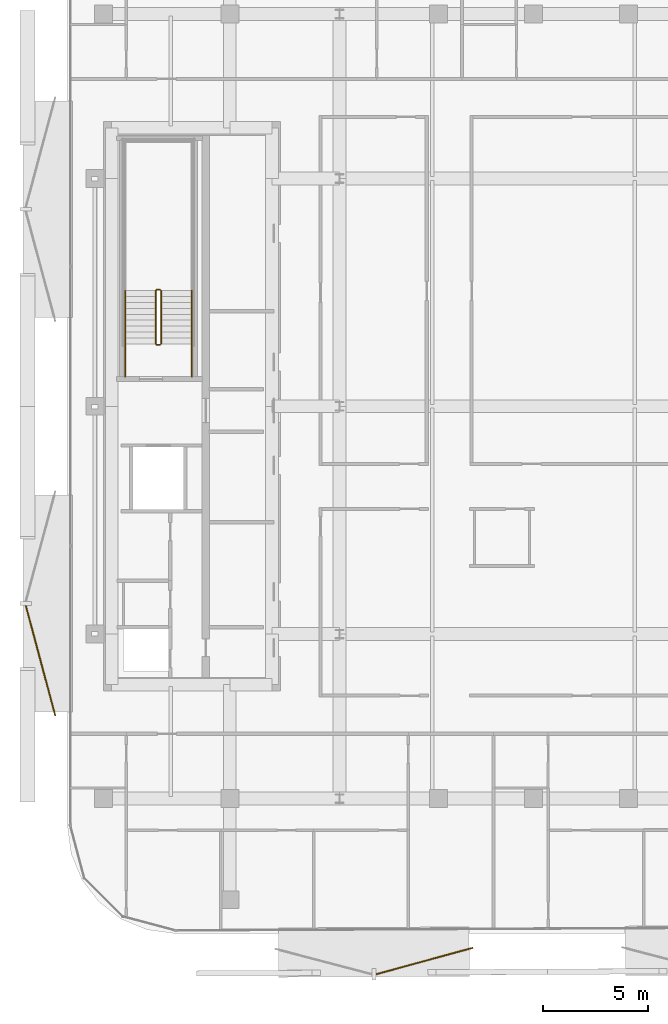
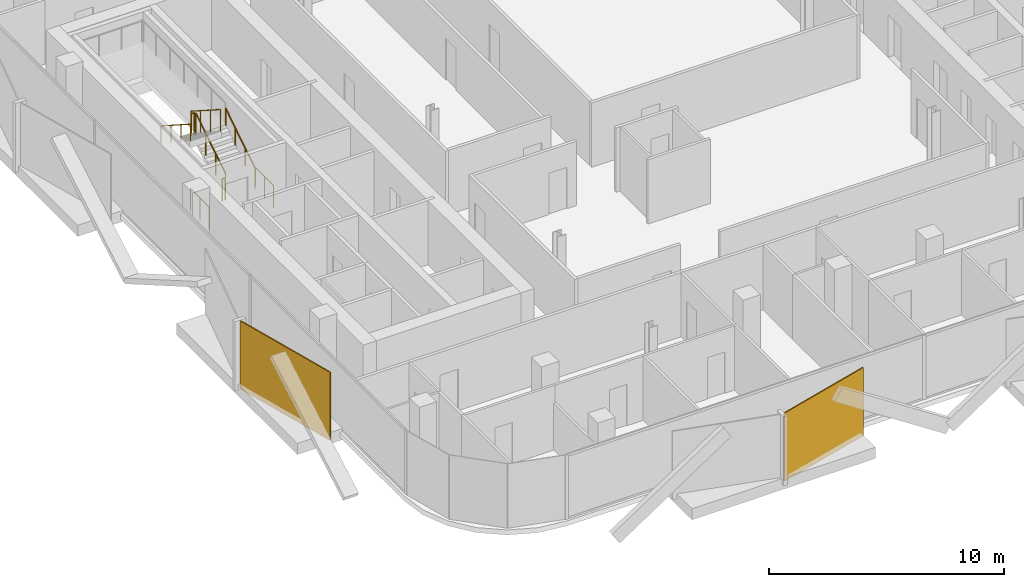
# One storey, part 12 of 14: 8 railings, 2 coverings.
"""IFC4 building model written with IfcOpenShell, lengths in metres."""

from ifc_helpers import new_model, si_unit, direction, frame, origin, origin_2d, place, context, subcontext, project, spatial, rectangle, circle, extrude, material, layer, layer_set, type_object, element, save


model = new_model("IFC4")

# Units and contexts
model_context = context("Model", 3, precision=1e-05, world=origin(), true_north=direction((0.0, 1.0)))
body_context = subcontext(model_context, "Body", "Model", "MODEL_VIEW")
ifc_project = project(units=[si_unit("LENGTHUNIT", "METRE"), si_unit("AREAUNIT", "SQUARE_METRE"), si_unit("VOLUMEUNIT", "CUBIC_METRE"), si_unit("PLANEANGLEUNIT", "RADIAN"), si_unit("MASSUNIT", "GRAM", prefix="KILO")], contexts=[model_context])

# Site, building, storey
site_placement = place(None, origin())
site = spatial("IfcSite", under=ifc_project, at=site_placement, CompositionType="ELEMENT")
building_placement = place(site_placement, origin())
building = spatial("IfcBuilding", under=site, at=building_placement, Name="Khairoan Windgate Tower", CompositionType="ELEMENT")
storey_placement = place(building_placement, frame((0.0, 0.0, 233.199951171875)))
storey = spatial("IfcBuildingStorey", under=building, at=storey_placement, Name="L54", CompositionType="ELEMENT", Elevation=233.199951171875)

# Coverings
ifc_material_1 = material(Name="Anodised Bronze Aluminium 6063-T6", Category="aluminium")
ifc_layer = layer(ifc_material_1, 0.054931640625, Name="Anodised Bronze Aluminium 6063-T6")
ifc_layer_set = layer_set([ifc_layer], Name="Anodised Bronze Aluminium 6063-T6")
covering_type = type_object("IfcCoveringType", Name="Perforated Bronze-Ceramic Folded Solar Screen Cladding BSC-1", PredefinedType="CLADDING", material=ifc_layer_set)
covering_1_placement = place(storey_placement, frame((-5.172607421875, -26.30615234375, -0.099853515625), z_axis=(0.0, 0.0, 1.0), x_axis=(-0.964649468762, -0.263536339841, 0.0)))
element("IfcCovering", 1, at=covering_1_placement, inside=storey, type_object=covering_type, Name="L54 Folded Bronze Solar Screen Facet 362L", PredefinedType="CLADDING", context=body_context, shape_type="SweptSolid", body=[
    extrude(rectangle(XDim=4.76708984375, YDim=0.054931640625, at=origin_2d()), origin(), (0.0, 0.0, 1.0), 3.5400390625),
])
covering_2_placement = place(storey_placement, frame((-23.378662109375, -12.052978515625, -0.099853515625), z_axis=(0.0, 0.0, 1.0), x_axis=(-0.258819045103, 0.965925826289, 0.0)))
element("IfcCovering", 2, at=covering_2_placement, inside=storey, type_object=covering_type, Name="L54 Folded Bronze Solar Screen Facet 363L", PredefinedType="CLADDING", context=body_context, shape_type="SweptSolid", body=[
    extrude(rectangle(XDim=5.419921875, YDim=0.054931640625, at=origin_2d()), origin(), (0.0, 0.0, 1.0), 3.5400390625),
])

# Railings
ifc_material_2 = material(Name="Anodised Bronze Aluminium 6063-T6", Category="aluminium")
railing_type_1 = type_object("IfcRailingType", Name="Stair Wall Handrail SHR-900", PredefinedType="HANDRAIL", material=ifc_material_2)
railing_1_placement = place(storey_placement, frame((-16.199951171875, 2.9599609375, 0.179931640625)))
element("IfcRailing", 3, at=railing_1_placement, inside=storey, type_object=railing_type_1, Name="L54 ST2 stair handrail 1", PredefinedType="HANDRAIL", context=body_context, shape_type="SweptSolid", body=[
    extrude(circle(Radius=0.02392578125, at=origin_2d()), frame((0.0, 0.0, 0.8759765625), z_axis=(0.0, 0.841162588446, 0.540782303519), x_axis=(-1.0, 0.0, 0.0)), (0.0, 0.0, 1.0), 2.995849609375),
    extrude(circle(Radius=0.02099609375, at=origin_2d()), origin(), (0.0, 0.0, 1.0), 0.851806640625),
    extrude(circle(Radius=0.02099609375, at=origin_2d()), frame((0.0, 0.840087890625, 0.5400390625)), (0.0, 0.0, 1.0), 0.851806640625),
    extrude(circle(Radius=0.02099609375, at=origin_2d()), frame((0.0, 1.679931640625, 1.080078125)), (0.0, 0.0, 1.0), 0.851806640625),
    extrude(circle(Radius=0.02099609375, at=origin_2d()), frame((0.0, 2.52001953125, 1.6201171875)), (0.0, 0.0, 1.0), 0.851806640625),
])
railing_2_placement = place(storey_placement, frame((-19.3701171875, 5.47998046875, 1.97998046875)))
element("IfcRailing", 4, at=railing_2_placement, inside=storey, type_object=railing_type_1, Name="L54 ST2 stair handrail 2", PredefinedType="HANDRAIL", context=body_context, shape_type="SweptSolid", body=[
    extrude(circle(Radius=0.02392578125, at=origin_2d()), frame((0.0, 0.0, 0.8759765625), z_axis=(0.0, -0.841162588446, 0.540782303519), x_axis=(1.0, 0.0, 0.0)), (0.0, 0.0, 1.0), 2.995849609375),
    extrude(circle(Radius=0.02099609375, at=origin_2d()), origin(), (0.0, 0.0, 1.0), 0.851806640625),
    extrude(circle(Radius=0.02099609375, at=origin_2d()), frame((0.0, -0.840087890625, 0.5400390625)), (0.0, 0.0, 1.0), 0.851806640625),
    extrude(circle(Radius=0.02099609375, at=origin_2d()), frame((0.0, -1.679931640625, 1.080078125)), (0.0, 0.0, 1.0), 0.851806640625),
    extrude(circle(Radius=0.02099609375, at=origin_2d()), frame((0.0, -2.52001953125, 1.6201171875)), (0.0, 0.0, 1.0), 0.851806640625),
])
ifc_material_3 = material(Name="Steel S355", Category="steel")
railing_type_2 = type_object("IfcRailingType", Name="Stairwell Safety Guardrail SGR-1150", PredefinedType="GUARDRAIL", material=ifc_material_3)
railing_3_placement = place(storey_placement, frame((-17.659912109375, 2.9599609375, 0.179931640625)))
element("IfcRailing", 5, at=railing_3_placement, inside=storey, type_object=railing_type_2, Name="L54 ST2 stair guard 1", PredefinedType="GUARDRAIL", context=body_context, shape_type="SweptSolid", body=[
    extrude(circle(Radius=0.02392578125, at=origin_2d()), frame((0.0, 0.0, 1.1259765625), z_axis=(0.0, 0.841162588446, 0.540782303519), x_axis=(-1.0, 0.0, 0.0)), (0.0, 0.0, 1.0), 2.995849609375),
    extrude(circle(Radius=0.02099609375, at=origin_2d()), origin(), (0.0, 0.0, 1.0), 1.101806640625),
    extrude(circle(Radius=0.02099609375, at=origin_2d()), frame((0.0, 0.840087890625, 0.5400390625)), (0.0, 0.0, 1.0), 1.101806640625),
    extrude(circle(Radius=0.02099609375, at=origin_2d()), frame((0.0, 1.679931640625, 1.080078125)), (0.0, 0.0, 1.0), 1.101806640625),
    extrude(circle(Radius=0.02099609375, at=origin_2d()), frame((0.0, 2.52001953125, 1.6201171875)), (0.0, 0.0, 1.0), 1.101806640625),
])
railing_4_placement = place(storey_placement, frame((-17.7099609375, 5.530029296875, 1.800048828125)))
element("IfcRailing", 6, at=railing_4_placement, inside=storey, type_object=railing_type_2, Name="L54 ST2 stair guard 2", PredefinedType="GUARDRAIL", context=body_context, shape_type="SweptSolid", body=[
    extrude(circle(Radius=0.02392578125, at=origin_2d()), frame((0.0, 0.0, 1.1259765625), z_axis=(-1.0, 0.0, 0.0), x_axis=(0.0, -1.0, 0.0)), (0.0, 0.0, 1.0), 0.150146484375),
    extrude(circle(Radius=0.02099609375, at=origin_2d()), origin(), (0.0, 0.0, 1.0), 1.101806640625),
    extrude(circle(Radius=0.02099609375, at=origin_2d()), frame((-0.150146484375, 0.0, 0.0)), (0.0, 0.0, 1.0), 1.101806640625),
])
railing_5_placement = place(storey_placement, frame((-17.909912109375, 5.47998046875, 1.97998046875)))
element("IfcRailing", 7, at=railing_5_placement, inside=storey, type_object=railing_type_2, Name="L54 ST2 stair guard 6", PredefinedType="GUARDRAIL", context=body_context, shape_type="SweptSolid", body=[
    extrude(circle(Radius=0.02392578125, at=origin_2d()), frame((0.0, 0.0, 1.1259765625), z_axis=(0.0, -0.841162588446, 0.540782303519), x_axis=(1.0, 0.0, 0.0)), (0.0, 0.0, 1.0), 2.995849609375),
    extrude(circle(Radius=0.02099609375, at=origin_2d()), origin(), (0.0, 0.0, 1.0), 1.101806640625),
    extrude(circle(Radius=0.02099609375, at=origin_2d()), frame((0.0, -0.840087890625, 0.5400390625)), (0.0, 0.0, 1.0), 1.101806640625),
    extrude(circle(Radius=0.02099609375, at=origin_2d()), frame((0.0, -1.679931640625, 1.080078125)), (0.0, 0.0, 1.0), 1.101806640625),
    extrude(circle(Radius=0.02099609375, at=origin_2d()), frame((0.0, -2.52001953125, 1.6201171875)), (0.0, 0.0, 1.0), 1.101806640625),
])
railing_6_placement = place(storey_placement, frame((-17.7099609375, 2.909912109375, 0.0)))
element("IfcRailing", 8, at=railing_6_placement, inside=storey, type_object=railing_type_2, Name="L54 ST2 stair guard 7", PredefinedType="GUARDRAIL", context=body_context, shape_type="SweptSolid", body=[
    extrude(circle(Radius=0.02392578125, at=origin_2d()), frame((0.0, 0.0, 1.1259765625), z_axis=(-1.0, 0.0, 0.0), x_axis=(0.0, -1.0, 0.0)), (0.0, 0.0, 1.0), 0.150146484375),
    extrude(circle(Radius=0.02099609375, at=origin_2d()), origin(), (0.0, 0.0, 1.0), 1.101806640625),
    extrude(circle(Radius=0.02099609375, at=origin_2d()), frame((-0.150146484375, 0.0, 0.0)), (0.0, 0.0, 1.0), 1.101806640625),
])
for number, where, name in (
    (9, (-16.199951171875, 1.39990234375, 0.0), "L54 ST2 stair guard 8"),
    (10, (-19.3701171875, 1.39990234375, 0.0), "L54 ST2 stair guard 9"),
):
    element("IfcRailing", number, at=place(storey_placement, frame(where)), inside=storey, type_object=railing_type_2, Name=name, PredefinedType="GUARDRAIL", context=body_context, shape_type="SweptSolid", body=[
        extrude(circle(Radius=0.02392578125, at=origin_2d()), frame((0.0, 0.0, 1.1259765625), z_axis=(0.0, 1.0, 0.0), x_axis=(-1.0, 0.0, 0.0)), (0.0, 0.0, 1.0), 1.56005859375),
        extrude(circle(Radius=0.02099609375, at=origin_2d()), origin(), (0.0, 0.0, 1.0), 1.101806640625),
        extrude(circle(Radius=0.02099609375, at=origin_2d()), frame((0.0, 0.780029296875, 0.0)), (0.0, 0.0, 1.0), 1.101806640625),
        extrude(circle(Radius=0.02099609375, at=origin_2d()), frame((0.0, 1.56005859375, 0.0)), (0.0, 0.0, 1.0), 1.101806640625),
    ])

save(model, "model.ifc")
